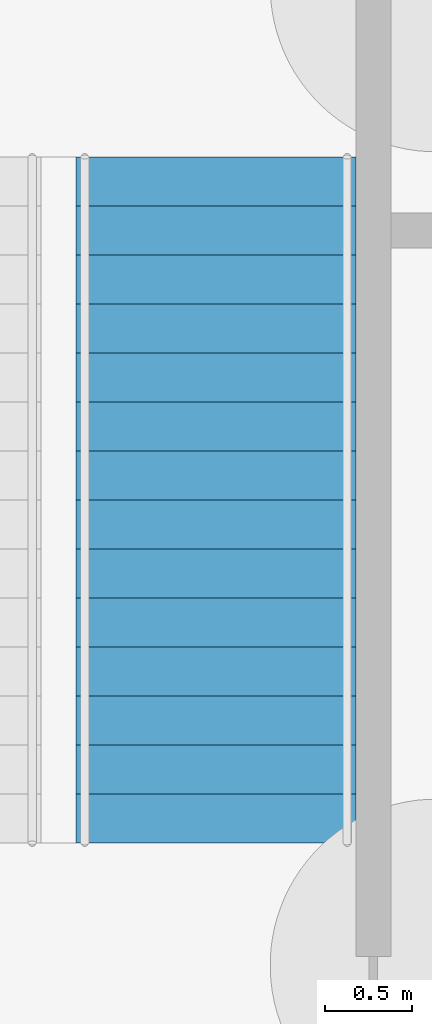
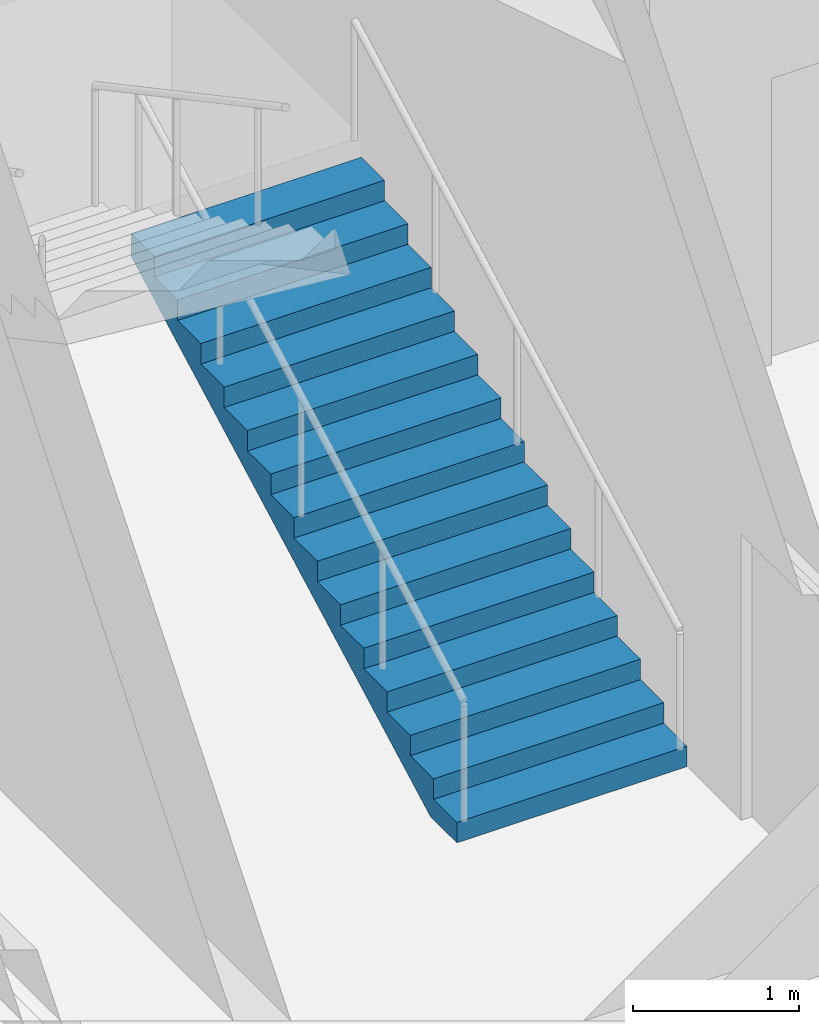
# One storey, part 94 of 113: 1 stair flight, 1 element without a shape of its own.
"""IFC4 building model written with IfcOpenShell, lengths in metres."""

from ifc_helpers import new_model, si_unit, direction, frame, origin, place, context, subcontext, project, spatial, triangles, material, type_object, element, aggregate, save


model = new_model("IFC4")

# Units and contexts
model_context = context("Model", 3, precision=1e-05, world=origin(), true_north=direction((0.0, 1.0)))
body_context = subcontext(model_context, "Body", "Model", "MODEL_VIEW")
ifc_project = project(units=[si_unit("LENGTHUNIT", "METRE"), si_unit("AREAUNIT", "SQUARE_METRE"), si_unit("VOLUMEUNIT", "CUBIC_METRE"), si_unit("PLANEANGLEUNIT", "RADIAN"), si_unit("MASSUNIT", "GRAM", prefix="KILO")], contexts=[model_context])

# Site, building, storey
site_placement = place(None, origin())
site = spatial("IfcSite", under=ifc_project, at=site_placement, CompositionType="ELEMENT")
building_placement = place(site_placement, origin())
building = spatial("IfcBuilding", under=site, at=building_placement, Name="Hakoniwa Tower and Hamabe Station Hall", CompositionType="ELEMENT")
storey_placement = place(building_placement, origin())
storey = spatial("IfcBuildingStorey", under=building, at=storey_placement, Name="L01", CompositionType="ELEMENT", Elevation=0.0)

# Stair, stair flight
ifc_material_1 = material(Name="Concrete C40", Category="concrete")
stair_type = type_object("IfcStairType", Name="STAIR 1600 15X150", PredefinedType="HALF_TURN_STAIR", material=ifc_material_1)
stair_placement = place(storey_placement, origin())
stair = element("IfcStair", 1, at=stair_placement, inside=storey, type_object=stair_type, Name="Escape stair SS1 L01", PredefinedType="HALF_TURN_STAIR")
ifc_material_2 = material(Name="Concrete C40", Category="concrete")
stair_flight_type = type_object("IfcStairFlightType", Name="STAIR FLIGHT 1600", PredefinedType="STRAIGHT", material=ifc_material_2)
stair_flight_placement = place(storey_placement, frame((89.25, 16.89990234375, 0.0), z_axis=(0.0, 0.0, 1.0), x_axis=(0.0, 1.0, 0.0)))
stair_flight = element("IfcStairFlight", 2, at=stair_flight_placement, type_object=stair_flight_type, Name="SS1 flight 1", NumberOfRisers=15, NumberOfTreads=14, PredefinedType="STRAIGHT", RiserHeight=0.15, TreadLength=0.28, context=body_context, shape_type="Tessellation", body=[
    triangles([(0.0, 0.800048828125, 0.0), (0.280029296875, 0.800048828125, 0.0), (0.3173828125, 0.800048828125, 0.0), (0.56005859375, 0.800048828125, 0.1298828125), (0.840087890625, 0.800048828125, 0.280029296875), (1.1201171875, 0.800048828125, 0.429931640625), (1.39990234375, 0.800048828125, 0.579833984375), (1.679931640625, 0.800048828125, 0.72998046875), (1.9599609375, 0.800048828125, 0.8798828125), (2.239990234375, 0.800048828125, 1.030029296875), (2.52001953125, 0.800048828125, 1.179931640625), (2.800048828125, 0.800048828125, 1.329833984375), (3.080078125, 0.800048828125, 1.47998046875), (3.360107421875, 0.800048828125, 1.6298828125), (3.639892578125, 0.800048828125, 1.780029296875), (3.919921875, 0.800048828125, 1.929931640625), (3.919921875, 0.800048828125, 2.10009765625), (3.639892578125, 0.800048828125, 2.10009765625), (3.639892578125, 0.800048828125, 1.949951171875), (3.360107421875, 0.800048828125, 1.949951171875), (3.360107421875, 0.800048828125, 1.800048828125), (3.080078125, 0.800048828125, 1.800048828125), (3.080078125, 0.800048828125, 1.64990234375), (2.800048828125, 0.800048828125, 1.64990234375), (2.800048828125, 0.800048828125, 1.5), (2.52001953125, 0.800048828125, 1.5), (2.52001953125, 0.800048828125, 1.35009765625), (2.239990234375, 0.800048828125, 1.35009765625), (2.239990234375, 0.800048828125, 1.199951171875), (1.9599609375, 0.800048828125, 1.199951171875), (1.9599609375, 0.800048828125, 1.050048828125), (1.679931640625, 0.800048828125, 1.050048828125), (1.679931640625, 0.800048828125, 0.89990234375), (1.39990234375, 0.800048828125, 0.89990234375), (1.39990234375, 0.800048828125, 0.75), (1.1201171875, 0.800048828125, 0.75), (1.1201171875, 0.800048828125, 0.60009765625), (0.840087890625, 0.800048828125, 0.60009765625), (0.840087890625, 0.800048828125, 0.449951171875), (0.56005859375, 0.800048828125, 0.449951171875), (0.56005859375, 0.800048828125, 0.300048828125), (0.3173828125, 0.800048828125, 0.300048828125), (0.280029296875, 0.800048828125, 0.300048828125), (0.280029296875, 0.800048828125, 0.14990234375), (0.0, 0.800048828125, 0.14990234375), (0.0, 0.06005859375, 0.0), (0.280029296875, 0.06005859375, 0.0), (0.3173828125, 0.06005859375, 0.0), (0.56005859375, 0.06005859375, 0.1298828125), (0.840087890625, 0.06005859375, 0.280029296875), (1.1201171875, 0.06005859375, 0.429931640625), (1.39990234375, 0.06005859375, 0.579833984375), (1.679931640625, 0.06005859375, 0.72998046875), (1.9599609375, 0.06005859375, 0.8798828125), (2.239990234375, 0.06005859375, 1.030029296875), (2.52001953125, 0.06005859375, 1.179931640625), (2.800048828125, 0.06005859375, 1.329833984375), (3.080078125, 0.06005859375, 1.47998046875), (3.360107421875, 0.06005859375, 1.6298828125), (3.639892578125, 0.06005859375, 1.780029296875), (3.919921875, 0.06005859375, 1.929931640625), (3.919921875, 0.06005859375, 2.10009765625), (3.639892578125, 0.06005859375, 2.10009765625), (3.639892578125, 0.06005859375, 1.949951171875), (3.360107421875, 0.06005859375, 1.949951171875), (3.360107421875, 0.06005859375, 1.800048828125), (3.080078125, 0.06005859375, 1.800048828125), (3.080078125, 0.06005859375, 1.64990234375), (2.800048828125, 0.06005859375, 1.64990234375), (2.800048828125, 0.06005859375, 1.5), (2.52001953125, 0.06005859375, 1.5), (2.52001953125, 0.06005859375, 1.35009765625), (2.239990234375, 0.06005859375, 1.35009765625), (2.239990234375, 0.06005859375, 1.199951171875), (1.9599609375, 0.06005859375, 1.199951171875), (1.9599609375, 0.06005859375, 1.050048828125), (1.679931640625, 0.06005859375, 1.050048828125), (1.679931640625, 0.06005859375, 0.89990234375), (1.39990234375, 0.06005859375, 0.89990234375), (1.39990234375, 0.06005859375, 0.75), (1.1201171875, 0.06005859375, 0.75), (1.1201171875, 0.06005859375, 0.60009765625), (0.840087890625, 0.06005859375, 0.60009765625), (0.840087890625, 0.06005859375, 0.449951171875), (0.56005859375, 0.06005859375, 0.449951171875), (0.56005859375, 0.06005859375, 0.300048828125), (0.3173828125, 0.06005859375, 0.300048828125), (0.280029296875, 0.06005859375, 0.300048828125), (0.280029296875, 0.06005859375, 0.14990234375), (0.0, 0.06005859375, 0.14990234375), (0.0, 0.02001953125, 0.0), (0.280029296875, 0.02001953125, 0.0), (0.3173828125, 0.02001953125, 0.0), (0.56005859375, 0.02001953125, 0.1298828125), (0.840087890625, 0.02001953125, 0.280029296875), (1.1201171875, 0.02001953125, 0.429931640625), (1.39990234375, 0.02001953125, 0.579833984375), (1.679931640625, 0.02001953125, 0.72998046875), (1.9599609375, 0.02001953125, 0.8798828125), (2.239990234375, 0.02001953125, 1.030029296875), (2.52001953125, 0.02001953125, 1.179931640625), (2.800048828125, 0.02001953125, 1.329833984375), (3.080078125, 0.02001953125, 1.47998046875), (3.360107421875, 0.02001953125, 1.6298828125), (3.639892578125, 0.02001953125, 1.780029296875), (3.919921875, 0.02001953125, 1.929931640625), (3.919921875, 0.02001953125, 2.10009765625), (3.639892578125, 0.02001953125, 2.10009765625), (3.639892578125, 0.02001953125, 1.949951171875), (3.360107421875, 0.02001953125, 1.949951171875), (3.360107421875, 0.02001953125, 1.800048828125), (3.080078125, 0.02001953125, 1.800048828125), (3.080078125, 0.02001953125, 1.64990234375), (2.800048828125, 0.02001953125, 1.64990234375), (2.800048828125, 0.02001953125, 1.5), (2.52001953125, 0.02001953125, 1.5), (2.52001953125, 0.02001953125, 1.35009765625), (2.239990234375, 0.02001953125, 1.35009765625), (2.239990234375, 0.02001953125, 1.199951171875), (1.9599609375, 0.02001953125, 1.199951171875), (1.9599609375, 0.02001953125, 1.050048828125), (1.679931640625, 0.02001953125, 1.050048828125), (1.679931640625, 0.02001953125, 0.89990234375), (1.39990234375, 0.02001953125, 0.89990234375), (1.39990234375, 0.02001953125, 0.75), (1.1201171875, 0.02001953125, 0.75), (1.1201171875, 0.02001953125, 0.60009765625), (0.840087890625, 0.02001953125, 0.60009765625), (0.840087890625, 0.02001953125, 0.449951171875), (0.56005859375, 0.02001953125, 0.449951171875), (0.56005859375, 0.02001953125, 0.300048828125), (0.3173828125, 0.02001953125, 0.300048828125), (0.280029296875, 0.02001953125, 0.300048828125), (0.280029296875, 0.02001953125, 0.14990234375), (0.0, 0.02001953125, 0.14990234375), (0.0, -0.02001953125, 0.0), (0.280029296875, -0.02001953125, 0.0), (0.3173828125, -0.02001953125, 0.0), (0.56005859375, -0.02001953125, 0.1298828125), (0.840087890625, -0.02001953125, 0.280029296875), (1.1201171875, -0.02001953125, 0.429931640625), (1.39990234375, -0.02001953125, 0.579833984375), (1.679931640625, -0.02001953125, 0.72998046875), (1.9599609375, -0.02001953125, 0.8798828125), (2.239990234375, -0.02001953125, 1.030029296875), (2.52001953125, -0.02001953125, 1.179931640625), (2.800048828125, -0.02001953125, 1.329833984375), (3.080078125, -0.02001953125, 1.47998046875), (3.360107421875, -0.02001953125, 1.6298828125), (3.639892578125, -0.02001953125, 1.780029296875), (3.919921875, -0.02001953125, 1.929931640625), (3.919921875, -0.02001953125, 2.10009765625), (3.639892578125, -0.02001953125, 2.10009765625), (3.639892578125, -0.02001953125, 1.949951171875), (3.360107421875, -0.02001953125, 1.949951171875), (3.360107421875, -0.02001953125, 1.800048828125), (3.080078125, -0.02001953125, 1.800048828125), (3.080078125, -0.02001953125, 1.64990234375), (2.800048828125, -0.02001953125, 1.64990234375), (2.800048828125, -0.02001953125, 1.5), (2.52001953125, -0.02001953125, 1.5), (2.52001953125, -0.02001953125, 1.35009765625), (2.239990234375, -0.02001953125, 1.35009765625), (2.239990234375, -0.02001953125, 1.199951171875), (1.9599609375, -0.02001953125, 1.199951171875), (1.9599609375, -0.02001953125, 1.050048828125), (1.679931640625, -0.02001953125, 1.050048828125), (1.679931640625, -0.02001953125, 0.89990234375), (1.39990234375, -0.02001953125, 0.89990234375), (1.39990234375, -0.02001953125, 0.75), (1.1201171875, -0.02001953125, 0.75), (1.1201171875, -0.02001953125, 0.60009765625), (0.840087890625, -0.02001953125, 0.60009765625), (0.840087890625, -0.02001953125, 0.449951171875), (0.56005859375, -0.02001953125, 0.449951171875), (0.56005859375, -0.02001953125, 0.300048828125), (0.3173828125, -0.02001953125, 0.300048828125), (0.280029296875, -0.02001953125, 0.300048828125), (0.280029296875, -0.02001953125, 0.14990234375), (0.0, -0.02001953125, 0.14990234375), (0.0, -0.06005859375, 0.0), (0.280029296875, -0.06005859375, 0.0), (0.3173828125, -0.06005859375, 0.0), (0.56005859375, -0.06005859375, 0.1298828125), (0.840087890625, -0.06005859375, 0.280029296875), (1.1201171875, -0.06005859375, 0.429931640625), (1.39990234375, -0.06005859375, 0.579833984375), (1.679931640625, -0.06005859375, 0.72998046875), (1.9599609375, -0.06005859375, 0.8798828125), (2.239990234375, -0.06005859375, 1.030029296875), (2.52001953125, -0.06005859375, 1.179931640625), (2.800048828125, -0.06005859375, 1.329833984375), (3.080078125, -0.06005859375, 1.47998046875), (3.360107421875, -0.06005859375, 1.6298828125), (3.639892578125, -0.06005859375, 1.780029296875), (3.919921875, -0.06005859375, 1.929931640625), (3.919921875, -0.06005859375, 2.10009765625), (3.639892578125, -0.06005859375, 2.10009765625), (3.639892578125, -0.06005859375, 1.949951171875), (3.360107421875, -0.06005859375, 1.949951171875), (3.360107421875, -0.06005859375, 1.800048828125), (3.080078125, -0.06005859375, 1.800048828125), (3.080078125, -0.06005859375, 1.64990234375), (2.800048828125, -0.06005859375, 1.64990234375), (2.800048828125, -0.06005859375, 1.5), (2.52001953125, -0.06005859375, 1.5), (2.52001953125, -0.06005859375, 1.35009765625), (2.239990234375, -0.06005859375, 1.35009765625), (2.239990234375, -0.06005859375, 1.199951171875), (1.9599609375, -0.06005859375, 1.199951171875), (1.9599609375, -0.06005859375, 1.050048828125), (1.679931640625, -0.06005859375, 1.050048828125), (1.679931640625, -0.06005859375, 0.89990234375), (1.39990234375, -0.06005859375, 0.89990234375), (1.39990234375, -0.06005859375, 0.75), (1.1201171875, -0.06005859375, 0.75), (1.1201171875, -0.06005859375, 0.60009765625), (0.840087890625, -0.06005859375, 0.60009765625), (0.840087890625, -0.06005859375, 0.449951171875), (0.56005859375, -0.06005859375, 0.449951171875), (0.56005859375, -0.06005859375, 0.300048828125), (0.3173828125, -0.06005859375, 0.300048828125), (0.280029296875, -0.06005859375, 0.300048828125), (0.280029296875, -0.06005859375, 0.14990234375), (0.0, -0.06005859375, 0.14990234375), (0.0, -0.800048828125, 0.0), (0.280029296875, -0.800048828125, 0.0), (0.3173828125, -0.800048828125, 0.0), (0.56005859375, -0.800048828125, 0.1298828125), (0.840087890625, -0.800048828125, 0.280029296875), (1.1201171875, -0.800048828125, 0.429931640625), (1.39990234375, -0.800048828125, 0.579833984375), (1.679931640625, -0.800048828125, 0.72998046875), (1.9599609375, -0.800048828125, 0.8798828125), (2.239990234375, -0.800048828125, 1.030029296875), (2.52001953125, -0.800048828125, 1.179931640625), (2.800048828125, -0.800048828125, 1.329833984375), (3.080078125, -0.800048828125, 1.47998046875), (3.360107421875, -0.800048828125, 1.6298828125), (3.639892578125, -0.800048828125, 1.780029296875), (3.919921875, -0.800048828125, 1.929931640625), (3.919921875, -0.800048828125, 2.10009765625), (3.639892578125, -0.800048828125, 2.10009765625), (3.639892578125, -0.800048828125, 1.949951171875), (3.360107421875, -0.800048828125, 1.949951171875), (3.360107421875, -0.800048828125, 1.800048828125), (3.080078125, -0.800048828125, 1.800048828125), (3.080078125, -0.800048828125, 1.64990234375), (2.800048828125, -0.800048828125, 1.64990234375), (2.800048828125, -0.800048828125, 1.5), (2.52001953125, -0.800048828125, 1.5), (2.52001953125, -0.800048828125, 1.35009765625), (2.239990234375, -0.800048828125, 1.35009765625), (2.239990234375, -0.800048828125, 1.199951171875), (1.9599609375, -0.800048828125, 1.199951171875), (1.9599609375, -0.800048828125, 1.050048828125), (1.679931640625, -0.800048828125, 1.050048828125), (1.679931640625, -0.800048828125, 0.89990234375), (1.39990234375, -0.800048828125, 0.89990234375), (1.39990234375, -0.800048828125, 0.75), (1.1201171875, -0.800048828125, 0.75), (1.1201171875, -0.800048828125, 0.60009765625), (0.840087890625, -0.800048828125, 0.60009765625), (0.840087890625, -0.800048828125, 0.449951171875), (0.56005859375, -0.800048828125, 0.449951171875), (0.56005859375, -0.800048828125, 0.300048828125), (0.3173828125, -0.800048828125, 0.300048828125), (0.280029296875, -0.800048828125, 0.300048828125), (0.280029296875, -0.800048828125, 0.14990234375), (0.0, -0.800048828125, 0.14990234375)], [[2, 45, 44], [227, 269, 270], [2, 1, 45], [227, 270, 226], [3, 43, 42], [228, 267, 268], [3, 44, 43], [228, 268, 269], [3, 2, 44], [228, 269, 227], [4, 42, 41], [229, 266, 267], [4, 3, 42], [229, 267, 228], [5, 40, 39], [230, 264, 265], [5, 41, 40], [230, 265, 266], [5, 4, 41], [230, 266, 229], [6, 38, 37], [231, 262, 263], [6, 39, 38], [231, 263, 264], [6, 5, 39], [231, 264, 230], [7, 36, 35], [232, 260, 261], [7, 37, 36], [232, 261, 262], [7, 6, 37], [232, 262, 231], [8, 34, 33], [233, 258, 259], [8, 35, 34], [233, 259, 260], [8, 7, 35], [233, 260, 232], [9, 32, 31], [234, 256, 257], [9, 33, 32], [234, 257, 258], [9, 8, 33], [234, 258, 233], [10, 30, 29], [235, 254, 255], [10, 31, 30], [235, 255, 256], [10, 9, 31], [235, 256, 234], [11, 28, 27], [236, 252, 253], [11, 29, 28], [236, 253, 254], [11, 10, 29], [236, 254, 235], [12, 26, 25], [237, 250, 251], [12, 27, 26], [237, 251, 252], [12, 11, 27], [237, 252, 236], [13, 24, 23], [238, 248, 249], [13, 25, 24], [238, 249, 250], [13, 12, 25], [238, 250, 237], [14, 22, 21], [239, 246, 247], [14, 23, 22], [239, 247, 248], [14, 13, 23], [239, 248, 238], [15, 20, 19], [240, 244, 245], [15, 21, 20], [240, 245, 246], [15, 14, 21], [240, 246, 239], [16, 18, 17], [241, 242, 243], [16, 19, 18], [241, 243, 244], [16, 15, 19], [241, 244, 240], [1, 2, 47], [1, 47, 46], [46, 47, 92], [46, 92, 91], [91, 92, 137], [91, 137, 136], [136, 137, 182], [136, 182, 181], [181, 182, 227], [181, 227, 226], [2, 3, 48], [2, 48, 47], [47, 48, 93], [47, 93, 92], [92, 93, 138], [92, 138, 137], [137, 138, 183], [137, 183, 182], [182, 183, 228], [182, 228, 227], [3, 4, 49], [3, 49, 48], [48, 49, 94], [48, 94, 93], [93, 94, 139], [93, 139, 138], [138, 139, 184], [138, 184, 183], [183, 184, 229], [183, 229, 228], [4, 5, 50], [4, 50, 49], [49, 50, 95], [49, 95, 94], [94, 95, 140], [94, 140, 139], [139, 140, 185], [139, 185, 184], [184, 185, 230], [184, 230, 229], [5, 6, 51], [5, 51, 50], [50, 51, 96], [50, 96, 95], [95, 96, 141], [95, 141, 140], [140, 141, 186], [140, 186, 185], [185, 186, 231], [185, 231, 230], [6, 7, 52], [6, 52, 51], [51, 52, 97], [51, 97, 96], [96, 97, 142], [96, 142, 141], [141, 142, 187], [141, 187, 186], [186, 187, 232], [186, 232, 231], [7, 8, 53], [7, 53, 52], [52, 53, 98], [52, 98, 97], [97, 98, 143], [97, 143, 142], [142, 143, 188], [142, 188, 187], [187, 188, 233], [187, 233, 232], [8, 9, 54], [8, 54, 53], [53, 54, 99], [53, 99, 98], [98, 99, 144], [98, 144, 143], [143, 144, 189], [143, 189, 188], [188, 189, 234], [188, 234, 233], [9, 10, 55], [9, 55, 54], [54, 55, 100], [54, 100, 99], [99, 100, 145], [99, 145, 144], [144, 145, 190], [144, 190, 189], [189, 190, 235], [189, 235, 234], [10, 11, 56], [10, 56, 55], [55, 56, 101], [55, 101, 100], [100, 101, 146], [100, 146, 145], [145, 146, 191], [145, 191, 190], [190, 191, 236], [190, 236, 235], [11, 12, 57], [11, 57, 56], [56, 57, 102], [56, 102, 101], [101, 102, 147], [101, 147, 146], [146, 147, 192], [146, 192, 191], [191, 192, 237], [191, 237, 236], [12, 13, 58], [12, 58, 57], [57, 58, 103], [57, 103, 102], [102, 103, 148], [102, 148, 147], [147, 148, 193], [147, 193, 192], [192, 193, 238], [192, 238, 237], [13, 14, 59], [13, 59, 58], [58, 59, 104], [58, 104, 103], [103, 104, 149], [103, 149, 148], [148, 149, 194], [148, 194, 193], [193, 194, 239], [193, 239, 238], [14, 15, 60], [14, 60, 59], [59, 60, 105], [59, 105, 104], [104, 105, 150], [104, 150, 149], [149, 150, 195], [149, 195, 194], [194, 195, 240], [194, 240, 239], [15, 16, 61], [15, 61, 60], [60, 61, 106], [60, 106, 105], [105, 106, 151], [105, 151, 150], [150, 151, 196], [150, 196, 195], [195, 196, 241], [195, 241, 240], [16, 17, 62], [16, 62, 61], [61, 62, 107], [61, 107, 106], [106, 107, 152], [106, 152, 151], [151, 152, 197], [151, 197, 196], [196, 197, 242], [196, 242, 241], [17, 18, 63], [17, 63, 62], [62, 63, 108], [62, 108, 107], [107, 108, 153], [107, 153, 152], [152, 153, 198], [152, 198, 197], [197, 198, 243], [197, 243, 242], [18, 19, 64], [18, 64, 63], [63, 64, 109], [63, 109, 108], [108, 109, 154], [108, 154, 153], [153, 154, 199], [153, 199, 198], [198, 199, 244], [198, 244, 243], [19, 20, 65], [19, 65, 64], [64, 65, 110], [64, 110, 109], [109, 110, 155], [109, 155, 154], [154, 155, 200], [154, 200, 199], [199, 200, 245], [199, 245, 244], [20, 21, 66], [20, 66, 65], [65, 66, 111], [65, 111, 110], [110, 111, 156], [110, 156, 155], [155, 156, 201], [155, 201, 200], [200, 201, 246], [200, 246, 245], [21, 22, 67], [21, 67, 66], [66, 67, 112], [66, 112, 111], [111, 112, 157], [111, 157, 156], [156, 157, 202], [156, 202, 201], [201, 202, 247], [201, 247, 246], [22, 23, 68], [22, 68, 67], [67, 68, 113], [67, 113, 112], [112, 113, 158], [112, 158, 157], [157, 158, 203], [157, 203, 202], [202, 203, 248], [202, 248, 247], [23, 24, 69], [23, 69, 68], [68, 69, 114], [68, 114, 113], [113, 114, 159], [113, 159, 158], [158, 159, 204], [158, 204, 203], [203, 204, 249], [203, 249, 248], [24, 25, 70], [24, 70, 69], [69, 70, 115], [69, 115, 114], [114, 115, 160], [114, 160, 159], [159, 160, 205], [159, 205, 204], [204, 205, 250], [204, 250, 249], [25, 26, 71], [25, 71, 70], [70, 71, 116], [70, 116, 115], [115, 116, 161], [115, 161, 160], [160, 161, 206], [160, 206, 205], [205, 206, 251], [205, 251, 250], [26, 27, 72], [26, 72, 71], [71, 72, 117], [71, 117, 116], [116, 117, 162], [116, 162, 161], [161, 162, 207], [161, 207, 206], [206, 207, 252], [206, 252, 251], [27, 28, 73], [27, 73, 72], [72, 73, 118], [72, 118, 117], [117, 118, 163], [117, 163, 162], [162, 163, 208], [162, 208, 207], [207, 208, 253], [207, 253, 252], [28, 29, 74], [28, 74, 73], [73, 74, 119], [73, 119, 118], [118, 119, 164], [118, 164, 163], [163, 164, 209], [163, 209, 208], [208, 209, 254], [208, 254, 253], [29, 30, 75], [29, 75, 74], [74, 75, 120], [74, 120, 119], [119, 120, 165], [119, 165, 164], [164, 165, 210], [164, 210, 209], [209, 210, 255], [209, 255, 254], [30, 31, 76], [30, 76, 75], [75, 76, 121], [75, 121, 120], [120, 121, 166], [120, 166, 165], [165, 166, 211], [165, 211, 210], [210, 211, 256], [210, 256, 255], [31, 32, 77], [31, 77, 76], [76, 77, 122], [76, 122, 121], [121, 122, 167], [121, 167, 166], [166, 167, 212], [166, 212, 211], [211, 212, 257], [211, 257, 256], [32, 33, 78], [32, 78, 77], [77, 78, 123], [77, 123, 122], [122, 123, 168], [122, 168, 167], [167, 168, 213], [167, 213, 212], [212, 213, 258], [212, 258, 257], [33, 34, 79], [33, 79, 78], [78, 79, 124], [78, 124, 123], [123, 124, 169], [123, 169, 168], [168, 169, 214], [168, 214, 213], [213, 214, 259], [213, 259, 258], [34, 35, 80], [34, 80, 79], [79, 80, 125], [79, 125, 124], [124, 125, 170], [124, 170, 169], [169, 170, 215], [169, 215, 214], [214, 215, 260], [214, 260, 259], [35, 36, 81], [35, 81, 80], [80, 81, 126], [80, 126, 125], [125, 126, 171], [125, 171, 170], [170, 171, 216], [170, 216, 215], [215, 216, 261], [215, 261, 260], [36, 37, 82], [36, 82, 81], [81, 82, 127], [81, 127, 126], [126, 127, 172], [126, 172, 171], [171, 172, 217], [171, 217, 216], [216, 217, 262], [216, 262, 261], [37, 38, 83], [37, 83, 82], [82, 83, 128], [82, 128, 127], [127, 128, 173], [127, 173, 172], [172, 173, 218], [172, 218, 217], [217, 218, 263], [217, 263, 262], [38, 39, 84], [38, 84, 83], [83, 84, 129], [83, 129, 128], [128, 129, 174], [128, 174, 173], [173, 174, 219], [173, 219, 218], [218, 219, 264], [218, 264, 263], [39, 40, 85], [39, 85, 84], [84, 85, 130], [84, 130, 129], [129, 130, 175], [129, 175, 174], [174, 175, 220], [174, 220, 219], [219, 220, 265], [219, 265, 264], [40, 41, 86], [40, 86, 85], [85, 86, 131], [85, 131, 130], [130, 131, 176], [130, 176, 175], [175, 176, 221], [175, 221, 220], [220, 221, 266], [220, 266, 265], [41, 42, 87], [41, 87, 86], [86, 87, 132], [86, 132, 131], [131, 132, 177], [131, 177, 176], [176, 177, 222], [176, 222, 221], [221, 222, 267], [221, 267, 266], [42, 43, 88], [42, 88, 87], [87, 88, 133], [87, 133, 132], [132, 133, 178], [132, 178, 177], [177, 178, 223], [177, 223, 222], [222, 223, 268], [222, 268, 267], [43, 44, 89], [43, 89, 88], [88, 89, 134], [88, 134, 133], [133, 134, 179], [133, 179, 178], [178, 179, 224], [178, 224, 223], [223, 224, 269], [223, 269, 268], [44, 45, 90], [44, 90, 89], [89, 90, 135], [89, 135, 134], [134, 135, 180], [134, 180, 179], [179, 180, 225], [179, 225, 224], [224, 225, 270], [224, 270, 269], [45, 1, 46], [45, 46, 90], [90, 46, 91], [90, 91, 135], [135, 91, 136], [135, 136, 180], [180, 136, 181], [180, 181, 225], [225, 181, 226], [225, 226, 270]], closed=True),
])
aggregate(stair, [stair_flight])

save(model, "model.ifc")
